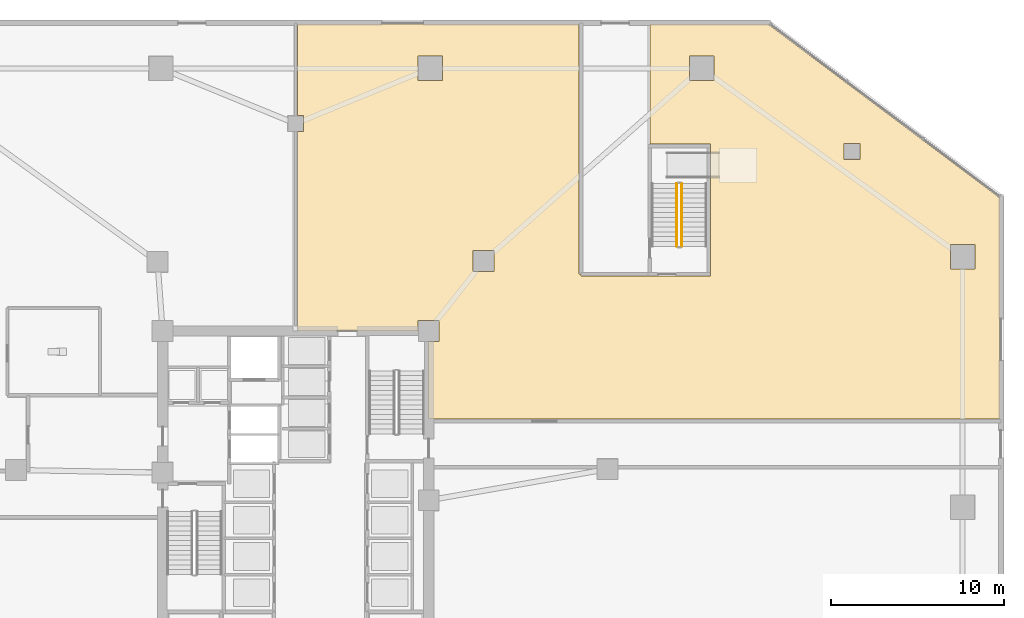
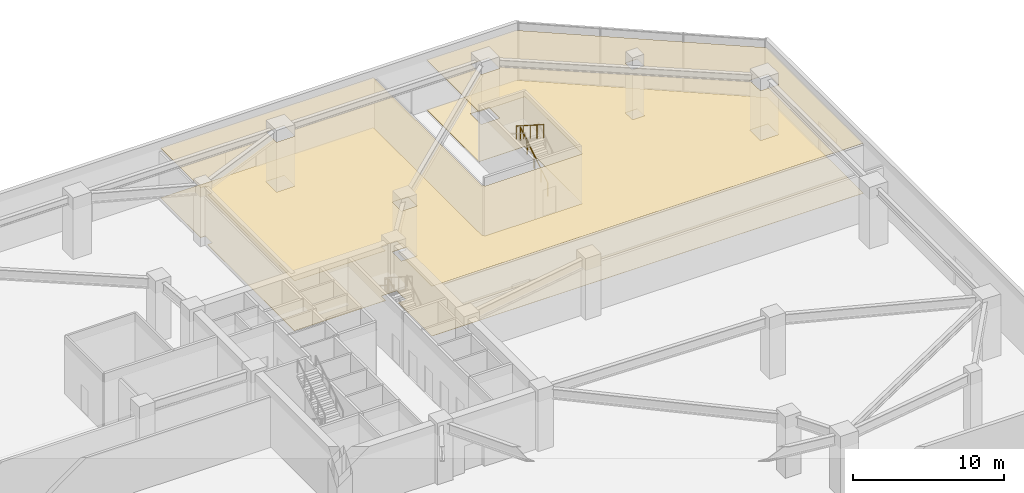
# One storey, part 18 of 22: 2 coverings, 2 railings.
"""IFC4 building model written with IfcOpenShell, lengths in metres."""

from ifc_helpers import new_model, si_unit, direction, frame, origin, origin_2d, place, context, subcontext, project, spatial, polyline, circle, outline, extrude, material, layer, layer_set, type_object, element, save


model = new_model("IFC4")

# Units and contexts
model_context = context("Model", 3, precision=1e-05, world=origin(), true_north=direction((0.0, 1.0)))
body_context = subcontext(model_context, "Body", "Model", "MODEL_VIEW")
ifc_project = project(units=[si_unit("LENGTHUNIT", "METRE"), si_unit("AREAUNIT", "SQUARE_METRE"), si_unit("VOLUMEUNIT", "CUBIC_METRE"), si_unit("PLANEANGLEUNIT", "RADIAN"), si_unit("MASSUNIT", "GRAM", prefix="KILO")], contexts=[model_context])

# Site, building, storey
site_placement = place(None, origin())
site = spatial("IfcSite", under=ifc_project, at=site_placement, CompositionType="ELEMENT")
building_placement = place(site_placement, origin())
building = spatial("IfcBuilding", under=site, at=building_placement, Name="Savorim Split Tower", CompositionType="ELEMENT")
storey_placement = place(building_placement, origin())
storey = spatial("IfcBuildingStorey", under=building, at=storey_placement, Name="L00", CompositionType="ELEMENT", Elevation=0.0)

# Coverings
ifc_material_1 = material(Name="Mineral Fibre Acoustic Ceiling")
ifc_layer_1 = layer(ifc_material_1, 0.02490234375)
ifc_layer_set_1 = layer_set([ifc_layer_1], Name="COV-CEIL-25")
covering_type_1 = type_object("IfcCoveringType", Name="COV-CEIL-25", PredefinedType="CEILING", material=ifc_layer_set_1)
covering_1_placement = place(storey_placement, frame((0.0, 0.0, 4.0400390625)))
element("IfcCovering", 1, at=covering_1_placement, inside=storey, type_object=covering_type_1, Name="L00 Communal Dining Hall Acoustic Ceiling", PredefinedType="CEILING", context=body_context, shape_type="SweptSolid", body=[
    extrude(outline(polyline([(16.39990234375, 13.5), (16.39990234375, 27.97998046875), (0.10009765625, 27.97998046875), (0.10009765625, 22.659912109375), (0.4599609375, 22.659912109375), (0.4599609375, 21.739990234375), (0.10009765625, 21.739990234375), (0.10009765625, 10.199951171875), (7.090087890625, 10.199951171875), (7.090087890625, 10.81005859375), (8.31005859375, 10.81005859375), (8.31005859375, 9.590087890625), (7.699951171875, 9.590087890625), (7.699951171875, 5.10009765625), (40.780029296875, 5.10009765625), (40.780029296875, 17.889892578125), (27.32666015625, 27.97998046875), (20.5, 27.97998046875), (20.5, 21.02001953125), (24.0, 21.02001953125), (24.0, 21.0), (24.0, 20.800048828125), (24.02001953125, 20.800048828125), (24.02001953125, 13.60009765625), (24.0, 13.60009765625), (24.0, 13.39990234375), (24.0, 13.3798828125), (20.39990234375, 13.3798828125), (16.52001953125, 13.3798828125), (16.52001953125, 13.440185546875), (16.516845703125, 13.4443359375), (16.51171875, 13.452880859375), (16.507568359375, 13.461669921875), (16.50439453125, 13.470947265625), (16.501953125, 13.48046875), (16.50048828125, 13.490234375), (16.5, 13.5), (16.39990234375, 13.5)]), holes=[polyline([(37.889892578125, 13.7900390625), (39.31005859375, 13.7900390625), (39.31005859375, 15.2099609375), (37.889892578125, 15.2099609375), (37.889892578125, 13.7900390625)]), polyline([(22.7900390625, 24.68994140625), (24.2099609375, 24.68994140625), (24.2099609375, 26.110107421875), (22.7900390625, 26.110107421875), (22.7900390625, 24.68994140625)]), polyline([(7.090087890625, 24.68994140625), (8.510009765625, 24.68994140625), (8.510009765625, 26.110107421875), (7.090087890625, 26.110107421875), (7.090087890625, 24.68994140625)]), polyline([(10.275390625, 14.860595703125), (10.275390625, 13.640380859375), (11.49560546875, 13.640380859375), (11.49560546875, 14.860595703125), (10.275390625, 14.860595703125)]), polyline([(31.739990234375, 20.139892578125), (32.659912109375, 20.139892578125), (32.659912109375, 21.06005859375), (31.739990234375, 21.06005859375), (31.739990234375, 20.139892578125)])]), origin(), (0.0, 0.0, 1.0), 0.02490234375),
])
ifc_material_2 = material(Name="Porcelain Stoneware Flooring", Category="masonry")
ifc_layer_2 = layer(ifc_material_2, 0.02001953125)
ifc_layer_set_2 = layer_set([ifc_layer_2], Name="COV-FLOR-20")
covering_type_2 = type_object("IfcCoveringType", Name="COV-FLOR-20", PredefinedType="FLOORING", material=ifc_layer_set_2)
covering_2_placement = place(storey_placement, origin())
element("IfcCovering", 2, at=covering_2_placement, inside=storey, type_object=covering_type_2, Name="L00 Communal Dining Hall Porcelain Flooring", PredefinedType="FLOORING", context=body_context, shape_type="SweptSolid", body=[
    extrude(outline(polyline([(16.39990234375, 13.5), (16.39990234375, 27.97998046875), (0.10009765625, 27.97998046875), (0.10009765625, 22.659912109375), (0.4599609375, 22.659912109375), (0.4599609375, 21.739990234375), (0.10009765625, 21.739990234375), (0.10009765625, 10.199951171875), (7.090087890625, 10.199951171875), (7.090087890625, 10.81005859375), (8.31005859375, 10.81005859375), (8.31005859375, 9.590087890625), (7.699951171875, 9.590087890625), (7.699951171875, 5.10009765625), (40.780029296875, 5.10009765625), (40.780029296875, 17.889892578125), (27.32666015625, 27.97998046875), (20.5, 27.97998046875), (20.5, 21.02001953125), (24.0, 21.02001953125), (24.0, 21.0), (24.0, 20.800048828125), (24.02001953125, 20.800048828125), (24.02001953125, 13.60009765625), (24.0, 13.60009765625), (24.0, 13.39990234375), (24.0, 13.3798828125), (20.39990234375, 13.3798828125), (16.52001953125, 13.3798828125), (16.52001953125, 13.440185546875), (16.516845703125, 13.4443359375), (16.51171875, 13.452880859375), (16.507568359375, 13.461669921875), (16.50439453125, 13.470947265625), (16.501953125, 13.48046875), (16.50048828125, 13.490234375), (16.5, 13.5), (16.39990234375, 13.5)]), holes=[polyline([(37.889892578125, 13.7900390625), (39.31005859375, 13.7900390625), (39.31005859375, 15.2099609375), (37.889892578125, 15.2099609375), (37.889892578125, 13.7900390625)]), polyline([(22.7900390625, 24.68994140625), (24.2099609375, 24.68994140625), (24.2099609375, 26.110107421875), (22.7900390625, 26.110107421875), (22.7900390625, 24.68994140625)]), polyline([(7.090087890625, 24.68994140625), (8.510009765625, 24.68994140625), (8.510009765625, 26.110107421875), (7.090087890625, 26.110107421875), (7.090087890625, 24.68994140625)]), polyline([(10.275390625, 14.860595703125), (10.275390625, 13.640380859375), (11.49560546875, 13.640380859375), (11.49560546875, 14.860595703125), (10.275390625, 14.860595703125)]), polyline([(31.739990234375, 20.139892578125), (32.659912109375, 20.139892578125), (32.659912109375, 21.06005859375), (31.739990234375, 21.06005859375), (31.739990234375, 20.139892578125)])]), origin(), (0.0, 0.0, 1.0), 0.02001953125),
])

# Railings
ifc_material_3 = material(Name="Galvanised Painted Steel Balustrade", Category="steel")
railing_type = type_object("IfcRailingType", Name="RLG-STG-1100", PredefinedType="BALUSTRADE", material=ifc_material_3)
railing_1_placement = place(storey_placement, frame((22.35009765625, 15.10009765625, 0.178466796875)))
element("IfcRailing", 3, at=railing_1_placement, inside=storey, type_object=railing_type, Name="L00 ST-3 stair guard 1", PredefinedType="BALUSTRADE", context=body_context, shape_type="SweptSolid", body=[
    extrude(circle(Radius=0.02392578125, at=origin_2d()), frame((0.0, 0.0, 1.076171875), z_axis=(0.0, 0.843111507901, 0.53773877045), x_axis=(-1.0, 0.0, 0.0)), (0.0, 0.0, 1.0), 4.317138671875),
    extrude(circle(Radius=0.02099609375, at=origin_2d()), origin(), (0.0, 0.0, 1.0), 1.052001953125),
    extrude(circle(Radius=0.02099609375, at=origin_2d()), frame((0.0, 0.909912109375, 0.580322265625)), (0.0, 0.0, 1.0), 1.052001953125),
    extrude(circle(Radius=0.02099609375, at=origin_2d()), frame((0.0, 1.81982421875, 1.16064453125)), (0.0, 0.0, 1.0), 1.052001953125),
    extrude(circle(Radius=0.02099609375, at=origin_2d()), frame((0.0, 2.72998046875, 1.7412109375)), (0.0, 0.0, 1.0), 1.052001953125),
    extrude(circle(Radius=0.02099609375, at=origin_2d()), frame((0.0, 3.639892578125, 2.321533203125)), (0.0, 0.0, 1.0), 1.052001953125),
])
railing_2_placement = place(storey_placement, frame((22.050048828125, 18.739990234375, 2.678466796875)))
element("IfcRailing", 4, at=railing_2_placement, inside=storey, type_object=railing_type, Name="L00 ST-3 stair guard 3", PredefinedType="BALUSTRADE", context=body_context, shape_type="SweptSolid", body=[
    extrude(circle(Radius=0.02392578125, at=origin_2d()), frame((0.0, 0.0, 1.076171875), z_axis=(0.0, -0.843111507901, 0.53773877045), x_axis=(1.0, 0.0, 0.0)), (0.0, 0.0, 1.0), 4.317138671875),
    extrude(circle(Radius=0.02099609375, at=origin_2d()), origin(), (0.0, 0.0, 1.0), 1.052001953125),
    extrude(circle(Radius=0.02099609375, at=origin_2d()), frame((0.0, -0.909912109375, 0.580322265625)), (0.0, 0.0, 1.0), 1.052001953125),
    extrude(circle(Radius=0.02099609375, at=origin_2d()), frame((0.0, -1.81982421875, 1.16064453125)), (0.0, 0.0, 1.0), 1.052001953125),
    extrude(circle(Radius=0.02099609375, at=origin_2d()), frame((0.0, -2.72998046875, 1.7412109375)), (0.0, 0.0, 1.0), 1.052001953125),
    extrude(circle(Radius=0.02099609375, at=origin_2d()), frame((0.0, -3.639892578125, 2.321533203125)), (0.0, 0.0, 1.0), 1.052001953125),
])

save(model, "model.ifc")
